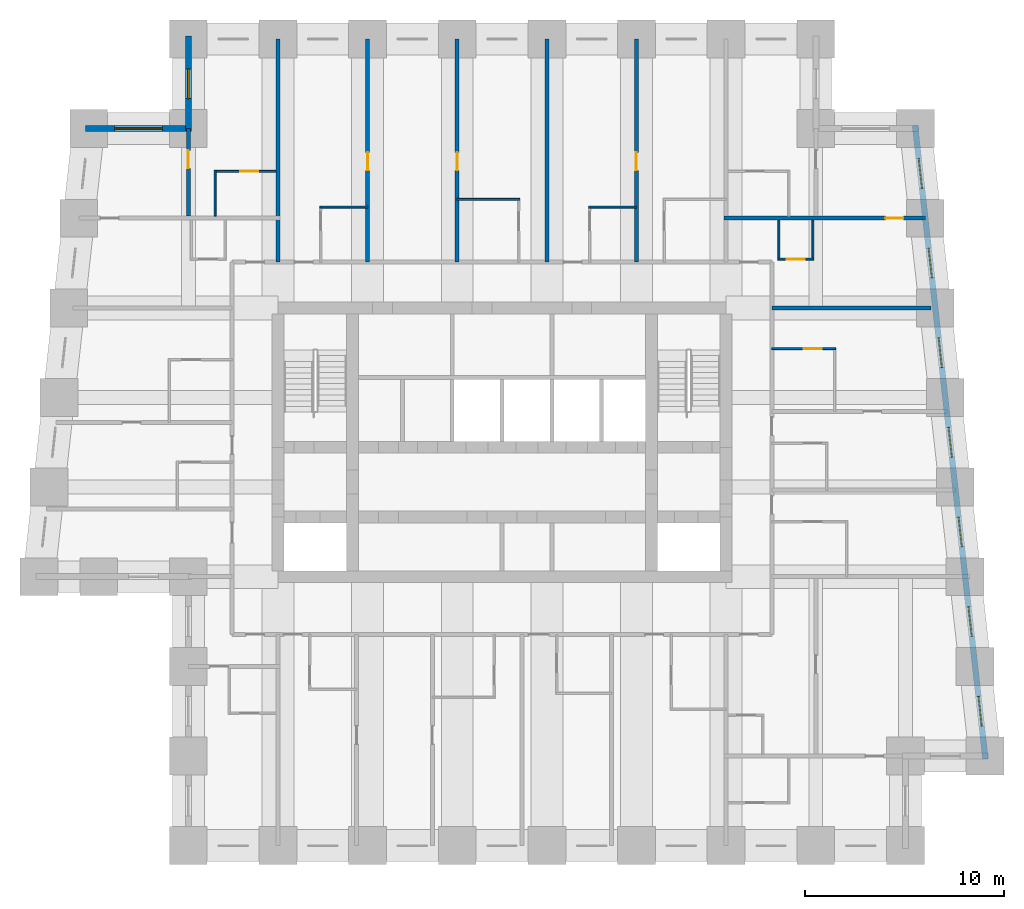
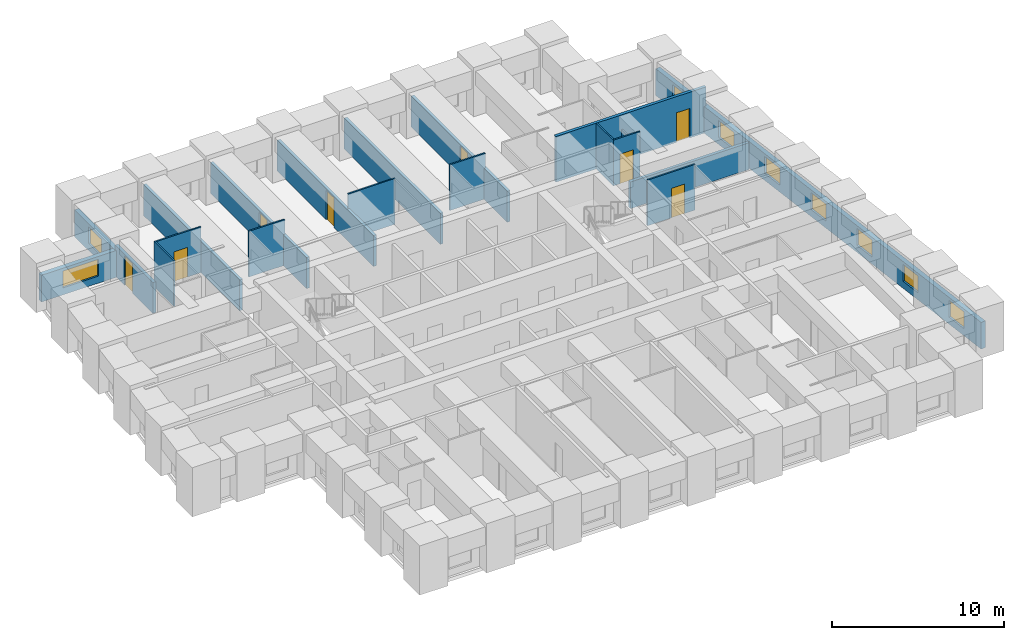
# One storey, part 6 of 8: 20 walls, 9 windows, 8 doors, 17 openings.
"""IFC4 building model written with IfcOpenShell, lengths in metres."""

from ifc_helpers import new_model, si_unit, direction, frame, frame_2d, origin, place, context, subcontext, project, spatial, rectangle, extrude, material, layer, layer_set, type_object, element, fill, save


model = new_model("IFC4")

# Units and contexts
model_context = context("Model", 3, precision=1e-05, world=origin(), true_north=direction((0.0, 1.0)))
body_context = subcontext(model_context, "Body", "Model", "MODEL_VIEW")
ifc_project = project(units=[si_unit("LENGTHUNIT", "METRE"), si_unit("AREAUNIT", "SQUARE_METRE"), si_unit("VOLUMEUNIT", "CUBIC_METRE"), si_unit("PLANEANGLEUNIT", "RADIAN"), si_unit("MASSUNIT", "GRAM", prefix="KILO")], contexts=[model_context])

# Site, building, storey
site_placement = place(None, origin())
site = spatial("IfcSite", under=ifc_project, at=site_placement, CompositionType="ELEMENT")
building_placement = place(site_placement, origin())
building = spatial("IfcBuilding", under=site, at=building_placement, Name="Kilele Tower Hotel", CompositionType="ELEMENT")
storey_placement = place(building_placement, frame((0.0, 0.0, 207.89990234375)))
storey = spatial("IfcBuildingStorey", under=building, at=storey_placement, Name="L54", CompositionType="ELEMENT", Elevation=207.89990234375)

# Wall, opening, door
ifc_material_1 = material(Name="Moisture-resistant board")
ifc_layer_1 = layer(ifc_material_1, 0.10009765625)
ifc_layer_set_1 = layer_set([ifc_layer_1], Name="Moisture-resistant board")
wall_type_1 = type_object("IfcWallType", Name="Bathroom partition 100", PredefinedType="PLUMBINGWALL", material=ifc_layer_set_1)
wall_1_placement = place(storey_placement, frame((38.300048828125, 24.949951171875, 0.0), z_axis=(0.0, 0.0, 1.0), x_axis=(1.0, 0.0, 0.0)))
wall_1 = element("IfcWall", 1, at=wall_1_placement, inside=storey, type_object=wall_type_1, Name="Bathroom partition 100 L54", PredefinedType="PLUMBINGWALL", context=body_context, shape_type="SweptSolid", body=[
    extrude(rectangle(XDim=3.199951171875, YDim=0.10009765625, at=frame_2d((1.60009765625, 0.0))), origin(), (0.0, 0.0, 1.0), 3.25),
])
opening_1_placement = place(wall_1_placement, frame((1.60009765625, 0.0, 0.0)))
opening_1 = element("IfcOpeningElement", 2, at=opening_1_placement, cuts=wall_1, Name="Opening D2A", PredefinedType="OPENING", context=body_context, shape_type="SweptSolid", body=[
    extrude(rectangle(XDim=0.89990234375, YDim=2.10009765625, at=frame_2d((0.449951171875, 1.050048828125))), frame((0.0, 0.06005859375, 0.0), z_axis=(0.0, -1.0, 0.0), x_axis=(1.0, 0.0, 0.0)), (0.0, 0.0, 1.0), 0.1201171875),
])
ifc_material_2 = material(Name="Timber door leaf in hardwood frame", Category="wood")
door_type_1 = type_object("IfcDoorType", Name="Bathroom door 900", OperationType="SINGLE_SWING_LEFT", PredefinedType="DOOR", material=ifc_material_2)
door_1_placement = place(opening_1_placement, origin())
door_1 = element("IfcDoor", 3, at=door_1_placement, inside=storey, type_object=door_type_1, Name="Bathroom door 5408B", OperationType="SINGLE_SWING_LEFT", OverallHeight=2.10009765625, OverallWidth=0.89990234375, PredefinedType="DOOR", context=body_context, shape_type="SweptSolid", body=[
    extrude(rectangle(XDim=0.89990234375, YDim=2.10009765625, at=frame_2d((0.449951171875, 1.050048828125))), frame((0.0, 0.02490234375, 0.0), z_axis=(0.0, -1.0, 0.0), x_axis=(1.0, 0.0, 0.0)), (0.0, 0.0, 1.0), 0.050048828125),
])
fill(opening_1, door_1)

# Walls
wall_2_placement = place(storey_placement, frame((15.60009765625, 32.050048828125, 0.0), z_axis=(0.0, 0.0, 1.0), x_axis=(1.0, 0.0, 0.0)))
element("IfcWall", 4, at=wall_2_placement, inside=storey, type_object=wall_type_1, Name="Bathroom partition 100 L54", PredefinedType="PLUMBINGWALL", context=body_context, shape_type="SweptSolid", body=[
    extrude(rectangle(XDim=2.39990234375, YDim=0.10009765625, at=frame_2d((1.199951171875, 0.0))), origin(), (0.0, 0.0, 1.0), 3.25),
])
wall_3_placement = place(storey_placement, frame((22.5, 32.449951171875, 0.0), z_axis=(0.0, 0.0, 1.0), x_axis=(1.0, 0.0, 0.0)))
element("IfcWall", 5, at=wall_3_placement, inside=storey, type_object=wall_type_1, Name="Bathroom partition 100 L54", PredefinedType="PLUMBINGWALL", context=body_context, shape_type="SweptSolid", body=[
    extrude(rectangle(XDim=3.14990234375, YDim=0.10009765625, at=frame_2d((1.574951171875, 0.0))), origin(), (0.0, 0.0, 1.0), 3.25),
])
wall_4_placement = place(storey_placement, frame((29.10009765625, 32.050048828125, 0.0), z_axis=(0.0, 0.0, 1.0), x_axis=(1.0, 0.0, 0.0)))
element("IfcWall", 6, at=wall_4_placement, inside=storey, type_object=wall_type_1, Name="Bathroom partition 100 L54", PredefinedType="PLUMBINGWALL", context=body_context, shape_type="SweptSolid", body=[
    extrude(rectangle(XDim=2.39990234375, YDim=0.10009765625, at=frame_2d((1.199951171875, 0.0))), origin(), (0.0, 0.0, 1.0), 3.25),
])
wall_5_placement = place(storey_placement, frame((40.35009765625, 31.39990234375, 0.0), z_axis=(0.0, 0.0, 1.0), x_axis=(0.0, -1.0, 0.0)))
element("IfcWall", 7, at=wall_5_placement, inside=storey, type_object=wall_type_1, Name="Bathroom partition 100 L54", PredefinedType="PLUMBINGWALL", context=body_context, shape_type="SweptSolid", body=[
    extrude(rectangle(XDim=2.0, YDim=0.10009765625, at=frame_2d((1.0, 0.0))), origin(), (0.0, 0.0, 1.0), 2.2001953125),
])
wall_6_placement = place(storey_placement, frame((38.64990234375, 31.39990234375, 0.0), z_axis=(0.0, 0.0, 1.0), x_axis=(0.0, -1.0, 0.0)))
element("IfcWall", 8, at=wall_6_placement, inside=storey, type_object=wall_type_1, Name="Bathroom partition 100 L54", PredefinedType="PLUMBINGWALL", context=body_context, shape_type="SweptSolid", body=[
    extrude(rectangle(XDim=2.0, YDim=0.10009765625, at=frame_2d((1.0, 0.0))), origin(), (0.0, 0.0, 1.0), 3.25),
])

# Wall, opening, door
wall_7_placement = place(storey_placement, frame((38.60009765625, 29.449951171875, 0.0), z_axis=(0.0, 0.0, 1.0), x_axis=(1.0, 0.0, 0.0)))
wall_7 = element("IfcWall", 9, at=wall_7_placement, inside=storey, type_object=wall_type_1, Name="Bathroom partition 100 L54", PredefinedType="PLUMBINGWALL", context=body_context, shape_type="SweptSolid", body=[
    extrude(rectangle(XDim=1.7998046875, YDim=0.10009765625, at=frame_2d((0.89990234375, 0.0))), origin(), (0.0, 0.0, 1.0), 3.25),
])
opening_2_placement = place(wall_7_placement, frame((1.349853515625, 0.0, 0.0), z_axis=(0.0, 0.0, 1.0), x_axis=(-1.0, 0.0, 0.0)))
opening_2 = element("IfcOpeningElement", 10, at=opening_2_placement, cuts=wall_7, Name="Opening D2A", PredefinedType="OPENING", context=body_context, shape_type="SweptSolid", body=[
    extrude(rectangle(XDim=0.89990234375, YDim=2.10009765625, at=frame_2d((0.449951171875, 1.050048828125))), frame((0.0, 0.06005859375, 0.0), z_axis=(0.0, -1.0, 0.0), x_axis=(1.0, 0.0, 0.0)), (0.0, 0.0, 1.0), 0.1201171875),
])
door_2_placement = place(opening_2_placement, origin())
door_2 = element("IfcDoor", 11, at=door_2_placement, inside=storey, type_object=door_type_1, Name="Bathroom door 5422P", OperationType="SINGLE_SWING_RIGHT", OverallHeight=2.10009765625, OverallWidth=0.89990234375, PredefinedType="DOOR", context=body_context, shape_type="SweptSolid", body=[
    extrude(rectangle(XDim=0.89990234375, YDim=2.10009765625, at=frame_2d((0.449951171875, 1.050048828125))), frame((0.0, 0.02490234375, 0.0), z_axis=(0.0, -1.0, 0.0), x_axis=(1.0, 0.0, 0.0)), (0.0, 0.0, 1.0), 0.050048828125),
])
fill(opening_2, door_2)

# Wall
wall_8_placement = place(storey_placement, frame((10.35009765625, 31.60009765625, 0.0), z_axis=(0.0, 0.0, 1.0), x_axis=(0.0, 1.0, 0.0)))
element("IfcWall", 12, at=wall_8_placement, inside=storey, type_object=wall_type_1, Name="Bathroom partition 100 L54", PredefinedType="PLUMBINGWALL", context=body_context, shape_type="SweptSolid", body=[
    extrude(rectangle(XDim=2.2998046875, YDim=0.10009765625, at=frame_2d((1.14990234375, 0.0))), origin(), (0.0, 0.0, 1.0), 3.25),
])

# Wall, opening, door
wall_9_placement = place(storey_placement, frame((13.39990234375, 33.85009765625, 0.0), z_axis=(0.0, 0.0, 1.0), x_axis=(-1.0, 0.0, 0.0)))
wall_9 = element("IfcWall", 13, at=wall_9_placement, inside=storey, type_object=wall_type_1, Name="Bathroom partition 100 L54", PredefinedType="PLUMBINGWALL", context=body_context, shape_type="SweptSolid", body=[
    extrude(rectangle(XDim=3.099853515625, YDim=0.10009765625, at=frame_2d((1.5498046875, 0.0))), origin(), (0.0, 0.0, 1.0), 3.25),
])
opening_3_placement = place(wall_9_placement, frame((1.7998046875, 0.0, 0.0), z_axis=(0.0, 0.0, 1.0), x_axis=(-1.0, 0.0, 0.0)))
opening_3 = element("IfcOpeningElement", 14, at=opening_3_placement, cuts=wall_9, Name="Opening D2A", PredefinedType="OPENING", context=body_context, shape_type="SweptSolid", body=[
    extrude(rectangle(XDim=0.89990234375, YDim=2.10009765625, at=frame_2d((0.449951171875, 1.050048828125))), frame((0.0, 0.06005859375, 0.0), z_axis=(0.0, -1.0, 0.0), x_axis=(1.0, 0.0, 0.0)), (0.0, 0.0, 1.0), 0.1201171875),
])
door_3_placement = place(opening_3_placement, origin())
door_3 = element("IfcDoor", 15, at=door_3_placement, inside=storey, type_object=door_type_1, Name="Bathroom door 5426B", OperationType="SINGLE_SWING_RIGHT", OverallHeight=2.10009765625, OverallWidth=0.89990234375, PredefinedType="DOOR", context=body_context, shape_type="SweptSolid", body=[
    extrude(rectangle(XDim=0.89990234375, YDim=2.10009765625, at=frame_2d((0.449951171875, 1.050048828125))), frame((0.0, 0.02490234375, 0.0), z_axis=(0.0, -1.0, 0.0), x_axis=(1.0, 0.0, 0.0)), (0.0, 0.0, 1.0), 0.050048828125),
])
fill(opening_3, door_3)

ifc_material_3 = material(Name="Blockwork, plastered both sides", Category="masonry")
ifc_layer_2 = layer(ifc_material_3, 0.199951171875)
ifc_layer_set_2 = layer_set([ifc_layer_2], Name="Blockwork, plastered both sides")
wall_type_2 = type_object("IfcWallType", Name="Partition wall 200", PredefinedType="PARTITIONING", material=ifc_layer_set_2)
wall_10_placement = place(storey_placement, frame((9.0, 31.60009765625, 0.0), z_axis=(0.0, 0.0, 1.0), x_axis=(0.0, 1.0, 0.0)))
wall_10 = element("IfcWall", 16, at=wall_10_placement, inside=storey, type_object=wall_type_2, Name="Partition wall 200 L54", PredefinedType="PARTITIONING", context=body_context, shape_type="SweptSolid", body=[
    extrude(rectangle(XDim=4.39990234375, YDim=0.199951171875, at=frame_2d((2.199951171875, 0.0))), origin(), (0.0, 0.0, 1.0), 2.2001953125),
])
opening_4_placement = place(wall_10_placement, frame((2.39990234375, 0.0, 0.0)))
opening_4 = element("IfcOpeningElement", 17, at=opening_4_placement, cuts=wall_10, Name="Opening D3", PredefinedType="OPENING", context=body_context, shape_type="SweptSolid", body=[
    extrude(rectangle(XDim=0.89990234375, YDim=2.10009765625, at=frame_2d((0.449951171875, 1.050048828125))), frame((0.0, 0.10986328125, 0.0), z_axis=(0.0, -1.0, 0.0), x_axis=(1.0, 0.0, 0.0)), (0.0, 0.0, 1.0), 0.219970703125),
])
ifc_material_4 = material(Name="Timber door leaf in hardwood frame", Category="wood")
door_type_2 = type_object("IfcDoorType", Name="Suite internal door 900", OperationType="SINGLE_SWING_LEFT", PredefinedType="DOOR", material=ifc_material_4)
door_4_placement = place(opening_4_placement, origin())
door_4 = element("IfcDoor", 18, at=door_4_placement, inside=storey, type_object=door_type_2, Name="Suite door 5427", OperationType="SINGLE_SWING_RIGHT", OverallHeight=2.10009765625, OverallWidth=0.89990234375, PredefinedType="DOOR", context=body_context, shape_type="SweptSolid", body=[
    extrude(rectangle(XDim=0.89990234375, YDim=2.10009765625, at=frame_2d((0.449951171875, 1.050048828125))), frame((0.0, 0.02490234375, 0.0), z_axis=(0.0, -1.0, 0.0), x_axis=(1.0, 0.0, 0.0)), (0.0, 0.0, 1.0), 0.050048828125),
])
fill(opening_4, door_4)

ifc_material_5 = material(Name="Blockwork, plastered both sides", Category="masonry")
ifc_layer_3 = layer(ifc_material_5, 0.199951171875)
ifc_layer_set_3 = layer_set([ifc_layer_3], Name="Blockwork, plastered both sides")
wall_type_3 = type_object("IfcWallType", Name="Party wall 200", PredefinedType="PARTITIONING", material=ifc_layer_set_3)
wall_11_placement = place(storey_placement, frame((18.0, 29.300048828125, 0.0), z_axis=(0.0, 0.0, 1.0), x_axis=(0.0, 1.0, 0.0)))
wall_11 = element("IfcWall", 19, at=wall_11_placement, inside=storey, type_object=wall_type_3, Name="Party wall 200 L54", PredefinedType="PARTITIONING", context=body_context, shape_type="SweptSolid", body=[
    extrude(rectangle(XDim=11.199951171875, YDim=0.199951171875, at=frame_2d((5.60009765625, 0.0))), origin(), (0.0, 0.0, 1.0), 2.2001953125),
])
opening_5_placement = place(wall_11_placement, frame((4.60009765625, 0.0, 0.0)))
opening_5 = element("IfcOpeningElement", 20, at=opening_5_placement, cuts=wall_11, Name="Opening D3", PredefinedType="OPENING", context=body_context, shape_type="SweptSolid", body=[
    extrude(rectangle(XDim=0.89990234375, YDim=2.10009765625, at=frame_2d((0.449951171875, 1.050048828125))), frame((0.0, 0.10986328125, 0.0), z_axis=(0.0, -1.0, 0.0), x_axis=(1.0, 0.0, 0.0)), (0.0, 0.0, 1.0), 0.219970703125),
])
door_5_placement = place(opening_5_placement, origin())
door_5 = element("IfcDoor", 21, at=door_5_placement, inside=storey, type_object=door_type_2, Name="Suite door 5410", OperationType="SINGLE_SWING_LEFT", OverallHeight=2.10009765625, OverallWidth=0.89990234375, PredefinedType="DOOR", context=body_context, shape_type="SweptSolid", body=[
    extrude(rectangle(XDim=0.89990234375, YDim=2.10009765625, at=frame_2d((0.449951171875, 1.050048828125))), frame((0.0, 0.02490234375, 0.0), z_axis=(0.0, -1.0, 0.0), x_axis=(1.0, 0.0, 0.0)), (0.0, 0.0, 1.0), 0.050048828125),
])
fill(opening_5, door_5)

wall_12_placement = place(storey_placement, frame((22.5, 29.300048828125, 0.0), z_axis=(0.0, 0.0, 1.0), x_axis=(0.0, 1.0, 0.0)))
wall_12 = element("IfcWall", 22, at=wall_12_placement, inside=storey, type_object=wall_type_3, Name="Party wall 200 L54", PredefinedType="PARTITIONING", context=body_context, shape_type="SweptSolid", body=[
    extrude(rectangle(XDim=11.199951171875, YDim=0.199951171875, at=frame_2d((5.60009765625, 0.0))), origin(), (0.0, 0.0, 1.0), 2.2001953125),
])
opening_6_placement = place(wall_12_placement, frame((5.5, 0.0, 0.0), z_axis=(0.0, 0.0, 1.0), x_axis=(-1.0, 0.0, 0.0)))
opening_6 = element("IfcOpeningElement", 23, at=opening_6_placement, cuts=wall_12, Name="Opening D3", PredefinedType="OPENING", context=body_context, shape_type="SweptSolid", body=[
    extrude(rectangle(XDim=0.89990234375, YDim=2.10009765625, at=frame_2d((0.449951171875, 1.050048828125))), frame((0.0, 0.10986328125, 0.0), z_axis=(0.0, -1.0, 0.0), x_axis=(1.0, 0.0, 0.0)), (0.0, 0.0, 1.0), 0.219970703125),
])
door_6_placement = place(opening_6_placement, origin())
door_6 = element("IfcDoor", 24, at=door_6_placement, inside=storey, type_object=door_type_2, Name="Suite door 5411", OperationType="SINGLE_SWING_RIGHT", OverallHeight=2.10009765625, OverallWidth=0.89990234375, PredefinedType="DOOR", context=body_context, shape_type="SweptSolid", body=[
    extrude(rectangle(XDim=0.89990234375, YDim=2.10009765625, at=frame_2d((0.449951171875, 1.050048828125))), frame((0.0, 0.02490234375, 0.0), z_axis=(0.0, -1.0, 0.0), x_axis=(1.0, 0.0, 0.0)), (0.0, 0.0, 1.0), 0.050048828125),
])
fill(opening_6, door_6)

# Wall
wall_13_placement = place(storey_placement, frame((27.0, 29.300048828125, 0.0), z_axis=(0.0, 0.0, 1.0), x_axis=(0.0, 1.0, 0.0)))
element("IfcWall", 25, at=wall_13_placement, inside=storey, type_object=wall_type_3, Name="Party wall 200 L54", PredefinedType="PARTITIONING", context=body_context, shape_type="SweptSolid", body=[
    extrude(rectangle(XDim=11.199951171875, YDim=0.199951171875, at=frame_2d((5.60009765625, 0.0))), origin(), (0.0, 0.0, 1.0), 2.2001953125),
])

# Wall, opening, door
wall_14_placement = place(storey_placement, frame((31.5, 29.300048828125, 0.0), z_axis=(0.0, 0.0, 1.0), x_axis=(0.0, 1.0, 0.0)))
wall_14 = element("IfcWall", 26, at=wall_14_placement, inside=storey, type_object=wall_type_3, Name="Party wall 200 L54", PredefinedType="PARTITIONING", context=body_context, shape_type="SweptSolid", body=[
    extrude(rectangle(XDim=11.199951171875, YDim=0.199951171875, at=frame_2d((5.60009765625, 0.0))), origin(), (0.0, 0.0, 1.0), 2.2001953125),
])
opening_7_placement = place(wall_14_placement, frame((4.60009765625, 0.0, 0.0)))
opening_7 = element("IfcOpeningElement", 27, at=opening_7_placement, cuts=wall_14, Name="Opening D3", PredefinedType="OPENING", context=body_context, shape_type="SweptSolid", body=[
    extrude(rectangle(XDim=0.89990234375, YDim=2.10009765625, at=frame_2d((0.449951171875, 1.050048828125))), frame((0.0, 0.10986328125, 0.0), z_axis=(0.0, -1.0, 0.0), x_axis=(1.0, 0.0, 0.0)), (0.0, 0.0, 1.0), 0.219970703125),
])
door_7_placement = place(opening_7_placement, origin())
door_7 = element("IfcDoor", 28, at=door_7_placement, inside=storey, type_object=door_type_2, Name="Suite door 5413", OperationType="SINGLE_SWING_LEFT", OverallHeight=2.10009765625, OverallWidth=0.89990234375, PredefinedType="DOOR", context=body_context, shape_type="SweptSolid", body=[
    extrude(rectangle(XDim=0.89990234375, YDim=2.10009765625, at=frame_2d((0.449951171875, 1.050048828125))), frame((0.0, 0.02490234375, 0.0), z_axis=(0.0, -1.0, 0.0), x_axis=(1.0, 0.0, 0.0)), (0.0, 0.0, 1.0), 0.050048828125),
])
fill(opening_7, door_7)

# Wall
wall_15_placement = place(storey_placement, frame((38.300048828125, 27.0, 0.0), z_axis=(0.0, 0.0, 1.0), x_axis=(1.0, 0.0, 0.0)))
element("IfcWall", 29, at=wall_15_placement, inside=storey, type_object=wall_type_3, Name="Party wall 200 L54", PredefinedType="PARTITIONING", context=body_context, shape_type="SweptSolid", body=[
    extrude(rectangle(XDim=7.976806640625, YDim=0.199951171875, at=frame_2d((3.98828125, 0.0))), origin(), (0.0, 0.0, 1.0), 1.900146484375),
])

# Wall, opening, door
wall_16_placement = place(storey_placement, frame((35.89990234375, 31.5, 0.0), z_axis=(0.0, 0.0, 1.0), x_axis=(1.0, 0.0, 0.0)))
wall_16 = element("IfcWall", 30, at=wall_16_placement, inside=storey, type_object=wall_type_3, Name="Party wall 200 L54", PredefinedType="PARTITIONING", context=body_context, shape_type="SweptSolid", body=[
    extrude(rectangle(XDim=10.09912109375, YDim=0.199951171875, at=frame_2d((5.049560546875, 0.0))), origin(), (0.0, 0.0, 1.0), 3.25),
])
opening_8_placement = place(wall_16_placement, frame((8.09912109375, 0.0, 0.0)))
opening_8 = element("IfcOpeningElement", 31, at=opening_8_placement, cuts=wall_16, Name="Opening D3", PredefinedType="OPENING", context=body_context, shape_type="SweptSolid", body=[
    extrude(rectangle(XDim=0.89990234375, YDim=2.10009765625, at=frame_2d((0.449951171875, 1.050048828125))), frame((0.0, 0.10986328125, 0.0), z_axis=(0.0, -1.0, 0.0), x_axis=(1.0, 0.0, 0.0)), (0.0, 0.0, 1.0), 0.219970703125),
])
door_8_placement = place(opening_8_placement, origin())
door_8 = element("IfcDoor", 32, at=door_8_placement, inside=storey, type_object=door_type_2, Name="Suite door 5423", OperationType="SINGLE_SWING_RIGHT", OverallHeight=2.10009765625, OverallWidth=0.89990234375, PredefinedType="DOOR", context=body_context, shape_type="SweptSolid", body=[
    extrude(rectangle(XDim=0.89990234375, YDim=2.10009765625, at=frame_2d((0.449951171875, 1.050048828125))), frame((0.0, 0.02490234375, 0.0), z_axis=(0.0, -1.0, 0.0), x_axis=(1.0, 0.0, 0.0)), (0.0, 0.0, 1.0), 0.050048828125),
])
fill(opening_8, door_8)

# Wall
wall_17_placement = place(storey_placement, frame((13.5, 29.300048828125, 0.0), z_axis=(0.0, 0.0, 1.0), x_axis=(0.0, 1.0, 0.0)))
element("IfcWall", 33, at=wall_17_placement, inside=storey, type_object=wall_type_3, Name="Party wall 200 L54", PredefinedType="PARTITIONING", context=body_context, shape_type="SweptSolid", body=[
    extrude(rectangle(XDim=11.199951171875, YDim=0.199951171875, at=frame_2d((5.60009765625, 0.0))), origin(), (0.0, 0.0, 1.0), 2.2001953125),
])

# Wall, openings, windows
ifc_material_6 = material(Name="Concrete C40/50 precast", Category="concrete")
ifc_layer_4 = layer(ifc_material_6, 0.260009765625, Name="Precast backing", Category="LoadBearing")
ifc_material_7 = material(Name="Reconstituted stone finish", Category="masonry")
ifc_layer_5 = layer(ifc_material_7, 0.0400390625, Name="Face mix", Category="Finish")
ifc_layer_set_4 = layer_set([ifc_layer_4, ifc_layer_5], Name="Precast concrete C40/50, reconstituted stone finish")
wall_type_4 = type_object("IfcWallType", Name="Precast stone facade wall 300", PredefinedType="STANDARD", material=ifc_layer_set_4)
wall_18_placement = place(storey_placement, frame((49.0166015625, 4.350830078125, 0.0), z_axis=(0.0, 0.0, 1.0), x_axis=(-0.110433201132, 0.993883548555, 0.0)))
wall_18 = element("IfcWall", 34, at=wall_18_placement, inside=storey, type_object=wall_type_4, Name="Facade wall L54 edge 6", PredefinedType="STANDARD", context=body_context, shape_type="SweptSolid", body=[
    extrude(rectangle(XDim=31.994140625, YDim=0.300048828125, at=frame_2d((15.9970703125, 0.0))), origin(), (0.0, 0.0, 1.0), 1.900146484375),
])
opening_9_placement = place(wall_18_placement, frame((1.6640625, 0.0, 0.5)))
opening_9 = element("IfcOpeningElement", 35, at=opening_9_placement, cuts=wall_18, Name="Opening W3", PredefinedType="OPENING", context=body_context, shape_type="SweptSolid", body=[
    extrude(rectangle(XDim=1.5, YDim=1.199951171875, at=frame_2d((0.75, 0.60009765625))), frame((0.0, 0.159912109375, 0.0), z_axis=(0.0, -1.0, 0.0), x_axis=(1.0, 0.0, 0.0)), (0.0, 0.0, 1.0), 0.320068359375),
])
opening_10_placement = place(wall_18_placement, frame((6.19189453125, 0.0, 0.5)))
opening_10 = element("IfcOpeningElement", 36, at=opening_10_placement, cuts=wall_18, Name="Opening W3", PredefinedType="OPENING", context=body_context, shape_type="SweptSolid", body=[
    extrude(rectangle(XDim=1.5, YDim=1.199951171875, at=frame_2d((0.75, 0.60009765625))), frame((0.0, 0.159912109375, 0.0), z_axis=(0.0, -1.0, 0.0), x_axis=(1.0, 0.0, 0.0)), (0.0, 0.0, 1.0), 0.320068359375),
])
opening_11_placement = place(wall_18_placement, frame((10.718994140625, 0.0, 0.5)))
opening_11 = element("IfcOpeningElement", 37, at=opening_11_placement, cuts=wall_18, Name="Opening W3", PredefinedType="OPENING", context=body_context, shape_type="SweptSolid", body=[
    extrude(rectangle(XDim=1.5, YDim=1.199951171875, at=frame_2d((0.75, 0.60009765625))), frame((0.0, 0.159912109375, 0.0), z_axis=(0.0, -1.0, 0.0), x_axis=(1.0, 0.0, 0.0)), (0.0, 0.0, 1.0), 0.320068359375),
])
opening_12_placement = place(wall_18_placement, frame((15.2470703125, 0.0, 0.5)))
opening_12 = element("IfcOpeningElement", 38, at=opening_12_placement, cuts=wall_18, Name="Opening W3", PredefinedType="OPENING", context=body_context, shape_type="SweptSolid", body=[
    extrude(rectangle(XDim=1.5, YDim=1.199951171875, at=frame_2d((0.75, 0.60009765625))), frame((0.0, 0.159912109375, 0.0), z_axis=(0.0, -1.0, 0.0), x_axis=(1.0, 0.0, 0.0)), (0.0, 0.0, 1.0), 0.320068359375),
])
opening_13_placement = place(wall_18_placement, frame((19.77490234375, 0.0, 0.5)))
opening_13 = element("IfcOpeningElement", 39, at=opening_13_placement, cuts=wall_18, Name="Opening W3", PredefinedType="OPENING", context=body_context, shape_type="SweptSolid", body=[
    extrude(rectangle(XDim=1.5, YDim=1.199951171875, at=frame_2d((0.75, 0.60009765625))), frame((0.0, 0.159912109375, 0.0), z_axis=(0.0, -1.0, 0.0), x_axis=(1.0, 0.0, 0.0)), (0.0, 0.0, 1.0), 0.320068359375),
])
opening_14_placement = place(wall_18_placement, frame((24.302001953125, 0.0, 0.5)))
opening_14 = element("IfcOpeningElement", 40, at=opening_14_placement, cuts=wall_18, Name="Opening W3", PredefinedType="OPENING", context=body_context, shape_type="SweptSolid", body=[
    extrude(rectangle(XDim=1.5, YDim=1.199951171875, at=frame_2d((0.75, 0.60009765625))), frame((0.0, 0.159912109375, 0.0), z_axis=(0.0, -1.0, 0.0), x_axis=(1.0, 0.0, 0.0)), (0.0, 0.0, 1.0), 0.320068359375),
])
opening_15_placement = place(wall_18_placement, frame((28.830078125, 0.0, 0.5)))
opening_15 = element("IfcOpeningElement", 41, at=opening_15_placement, cuts=wall_18, Name="Opening W3", PredefinedType="OPENING", context=body_context, shape_type="SweptSolid", body=[
    extrude(rectangle(XDim=1.5, YDim=1.199951171875, at=frame_2d((0.75, 0.60009765625))), frame((0.0, 0.159912109375, 0.0), z_axis=(0.0, -1.0, 0.0), x_axis=(1.0, 0.0, 0.0)), (0.0, 0.0, 1.0), 0.320068359375),
])
ifc_material_8 = material(Name="Aluminium frame, clear double glazing", Category="aluminium")
window_type_1 = type_object("IfcWindowType", Name="Window W3 1500 x 1200", PartitioningType="SINGLE_PANEL", PredefinedType="WINDOW", material=ifc_material_8)
window_1_placement = place(opening_9_placement, origin())
window_1 = element("IfcWindow", 42, at=window_1_placement, inside=storey, type_object=window_type_1, Name="Window L54", OverallHeight=1.199951171875, OverallWidth=1.5, PartitioningType="SINGLE_PANEL", PredefinedType="WINDOW", context=body_context, shape_type="SweptSolid", body=[
    extrude(rectangle(XDim=1.5, YDim=1.199951171875, at=frame_2d((0.75, 0.60009765625))), frame((0.0, 0.030029296875, 0.0), z_axis=(0.0, -1.0, 0.0), x_axis=(1.0, 0.0, 0.0)), (0.0, 0.0, 1.0), 0.06005859375),
])
fill(opening_9, window_1)
window_2_placement = place(opening_10_placement, origin())
window_2 = element("IfcWindow", 43, at=window_2_placement, inside=storey, type_object=window_type_1, Name="Window L54", OverallHeight=1.199951171875, OverallWidth=1.5, PartitioningType="SINGLE_PANEL", PredefinedType="WINDOW", context=body_context, shape_type="SweptSolid", body=[
    extrude(rectangle(XDim=1.5, YDim=1.199951171875, at=frame_2d((0.75, 0.60009765625))), frame((0.0, 0.030029296875, 0.0), z_axis=(0.0, -1.0, 0.0), x_axis=(1.0, 0.0, 0.0)), (0.0, 0.0, 1.0), 0.06005859375),
])
fill(opening_10, window_2)
window_3_placement = place(opening_11_placement, origin())
window_3 = element("IfcWindow", 44, at=window_3_placement, inside=storey, type_object=window_type_1, Name="Window L54", OverallHeight=1.199951171875, OverallWidth=1.5, PartitioningType="SINGLE_PANEL", PredefinedType="WINDOW", context=body_context, shape_type="SweptSolid", body=[
    extrude(rectangle(XDim=1.5, YDim=1.199951171875, at=frame_2d((0.75, 0.60009765625))), frame((0.0, 0.030029296875, 0.0), z_axis=(0.0, -1.0, 0.0), x_axis=(1.0, 0.0, 0.0)), (0.0, 0.0, 1.0), 0.06005859375),
])
fill(opening_11, window_3)
window_4_placement = place(opening_12_placement, origin())
window_4 = element("IfcWindow", 45, at=window_4_placement, inside=storey, type_object=window_type_1, Name="Window L54", OverallHeight=1.199951171875, OverallWidth=1.5, PartitioningType="SINGLE_PANEL", PredefinedType="WINDOW", context=body_context, shape_type="SweptSolid", body=[
    extrude(rectangle(XDim=1.5, YDim=1.199951171875, at=frame_2d((0.75, 0.60009765625))), frame((0.0, 0.030029296875, 0.0), z_axis=(0.0, -1.0, 0.0), x_axis=(1.0, 0.0, 0.0)), (0.0, 0.0, 1.0), 0.06005859375),
])
fill(opening_12, window_4)
window_5_placement = place(opening_13_placement, origin())
window_5 = element("IfcWindow", 46, at=window_5_placement, inside=storey, type_object=window_type_1, Name="Window L54", OverallHeight=1.199951171875, OverallWidth=1.5, PartitioningType="SINGLE_PANEL", PredefinedType="WINDOW", context=body_context, shape_type="SweptSolid", body=[
    extrude(rectangle(XDim=1.5, YDim=1.199951171875, at=frame_2d((0.75, 0.60009765625))), frame((0.0, 0.030029296875, 0.0), z_axis=(0.0, -1.0, 0.0), x_axis=(1.0, 0.0, 0.0)), (0.0, 0.0, 1.0), 0.06005859375),
])
fill(opening_13, window_5)
window_6_placement = place(opening_14_placement, origin())
window_6 = element("IfcWindow", 47, at=window_6_placement, inside=storey, type_object=window_type_1, Name="Window L54", OverallHeight=1.199951171875, OverallWidth=1.5, PartitioningType="SINGLE_PANEL", PredefinedType="WINDOW", context=body_context, shape_type="SweptSolid", body=[
    extrude(rectangle(XDim=1.5, YDim=1.199951171875, at=frame_2d((0.75, 0.60009765625))), frame((0.0, 0.030029296875, 0.0), z_axis=(0.0, -1.0, 0.0), x_axis=(1.0, 0.0, 0.0)), (0.0, 0.0, 1.0), 0.06005859375),
])
fill(opening_14, window_6)
window_7_placement = place(opening_15_placement, origin())
window_7 = element("IfcWindow", 48, at=window_7_placement, inside=storey, type_object=window_type_1, Name="Window L54", OverallHeight=1.199951171875, OverallWidth=1.5, PartitioningType="SINGLE_PANEL", PredefinedType="WINDOW", context=body_context, shape_type="SweptSolid", body=[
    extrude(rectangle(XDim=1.5, YDim=1.199951171875, at=frame_2d((0.75, 0.60009765625))), frame((0.0, 0.030029296875, 0.0), z_axis=(0.0, -1.0, 0.0), x_axis=(1.0, 0.0, 0.0)), (0.0, 0.0, 1.0), 0.06005859375),
])
fill(opening_15, window_7)

# Wall, opening, window
wall_19_placement = place(storey_placement, frame((9.0, 40.64990234375, 0.0), z_axis=(0.0, 0.0, 1.0), x_axis=(0.0, -1.0, 0.0)))
wall_19 = element("IfcWall", 49, at=wall_19_placement, inside=storey, type_object=wall_type_4, Name="Facade wall L54 edge 10", PredefinedType="STANDARD", context=body_context, shape_type="SweptSolid", body=[
    extrude(rectangle(XDim=4.7998046875, YDim=0.300048828125, at=frame_2d((2.39990234375, 0.0))), origin(), (0.0, 0.0, 1.0), 1.900146484375),
])
opening_16_placement = place(wall_19_placement, frame((1.64990234375, 0.0, 0.5)))
opening_16 = element("IfcOpeningElement", 50, at=opening_16_placement, cuts=wall_19, Name="Opening W3", PredefinedType="OPENING", context=body_context, shape_type="SweptSolid", body=[
    extrude(rectangle(XDim=1.5, YDim=1.199951171875, at=frame_2d((0.75, 0.60009765625))), frame((0.0, 0.159912109375, 0.0), z_axis=(0.0, -1.0, 0.0), x_axis=(1.0, 0.0, 0.0)), (0.0, 0.0, 1.0), 0.320068359375),
])
window_8_placement = place(opening_16_placement, origin())
window_8 = element("IfcWindow", 51, at=window_8_placement, inside=storey, type_object=window_type_1, Name="Window L54", OverallHeight=1.199951171875, OverallWidth=1.5, PartitioningType="SINGLE_PANEL", PredefinedType="WINDOW", context=body_context, shape_type="SweptSolid", body=[
    extrude(rectangle(XDim=1.5, YDim=1.199951171875, at=frame_2d((0.75, 0.60009765625))), frame((0.0, 0.030029296875, 0.0), z_axis=(0.0, -1.0, 0.0), x_axis=(1.0, 0.0, 0.0)), (0.0, 0.0, 1.0), 0.06005859375),
])
fill(opening_16, window_8)

wall_20_placement = place(storey_placement, frame((9.14990234375, 36.0, 0.0), z_axis=(0.0, 0.0, 1.0), x_axis=(-1.0, 0.0, 0.0)))
wall_20 = element("IfcWall", 52, at=wall_20_placement, inside=storey, type_object=wall_type_4, Name="Facade wall L54 edge 11", PredefinedType="STANDARD", context=body_context, shape_type="SweptSolid", body=[
    extrude(rectangle(XDim=5.2998046875, YDim=0.300048828125, at=frame_2d((2.64990234375, 0.0))), origin(), (0.0, 0.0, 1.0), 1.900146484375),
])
opening_17_placement = place(wall_20_placement, frame((1.449951171875, 0.0, 0.5)))
opening_17 = element("IfcOpeningElement", 53, at=opening_17_placement, cuts=wall_20, Name="Opening W3", PredefinedType="OPENING", context=body_context, shape_type="SweptSolid", body=[
    extrude(rectangle(XDim=2.39990234375, YDim=1.199951171875, at=frame_2d((1.199951171875, 0.60009765625))), frame((0.0, 0.159912109375, 0.0), z_axis=(0.0, -1.0, 0.0), x_axis=(1.0, 0.0, 0.0)), (0.0, 0.0, 1.0), 0.320068359375),
])
ifc_material_9 = material(Name="Aluminium frame, clear double glazing", Category="aluminium")
window_type_2 = type_object("IfcWindowType", Name="Window W3 2400 x 1200", PartitioningType="SINGLE_PANEL", PredefinedType="WINDOW", material=ifc_material_9)
window_9_placement = place(opening_17_placement, origin())
window_9 = element("IfcWindow", 54, at=window_9_placement, inside=storey, type_object=window_type_2, Name="Window L54", OverallHeight=1.199951171875, OverallWidth=2.39990234375, PartitioningType="SINGLE_PANEL", PredefinedType="WINDOW", context=body_context, shape_type="SweptSolid", body=[
    extrude(rectangle(XDim=2.39990234375, YDim=1.199951171875, at=frame_2d((1.199951171875, 0.60009765625))), frame((0.0, 0.030029296875, 0.0), z_axis=(0.0, -1.0, 0.0), x_axis=(1.0, 0.0, 0.0)), (0.0, 0.0, 1.0), 0.06005859375),
])
fill(opening_17, window_9)

save(model, "model.ifc")
